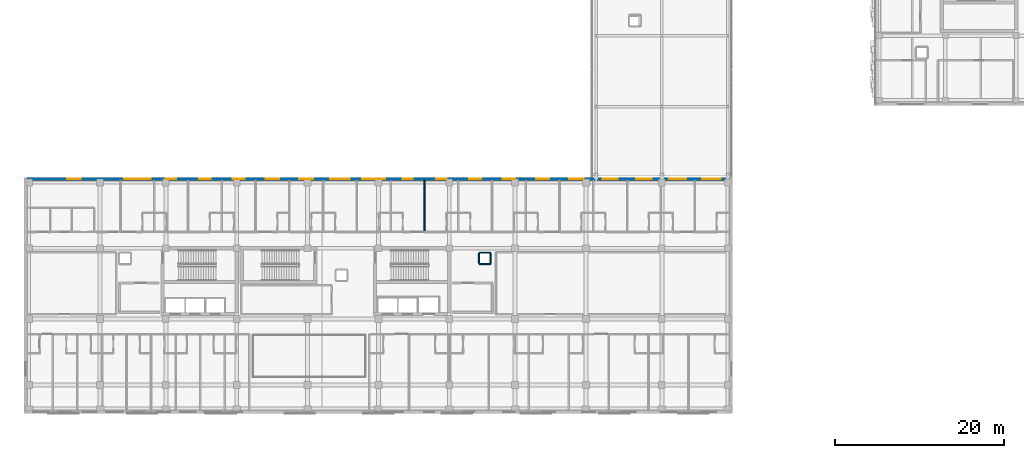
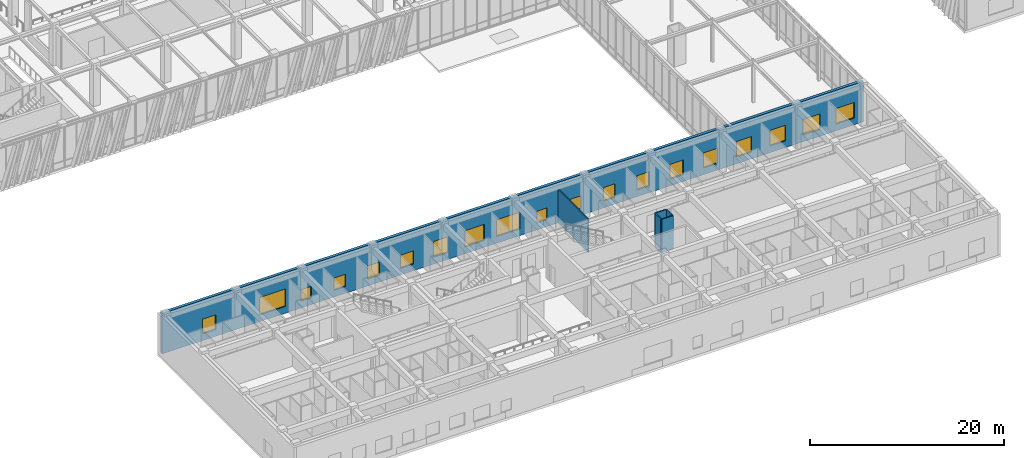
# One storey, part 107 of 139: 19 windows, 6 walls, 19 openings.
"""IFC4 building model written with IfcOpenShell, lengths in metres."""

from ifc_helpers import new_model, si_unit, direction, frame, frame_2d, origin, place, context, subcontext, project, spatial, rectangle, extrude, material, layer, layer_set, type_object, element, fill, save


model = new_model("IFC4")

# Units and contexts
model_context = context("Model", 3, precision=1e-05, world=origin(), true_north=direction((0.0, 1.0)))
body_context = subcontext(model_context, "Body", "Model", "MODEL_VIEW")
ifc_project = project(units=[si_unit("LENGTHUNIT", "METRE"), si_unit("AREAUNIT", "SQUARE_METRE"), si_unit("VOLUMEUNIT", "CUBIC_METRE"), si_unit("PLANEANGLEUNIT", "RADIAN"), si_unit("MASSUNIT", "GRAM", prefix="KILO")], contexts=[model_context])

# Site, building, storey
site_placement = place(None, origin())
site = spatial("IfcSite", under=ifc_project, at=site_placement, CompositionType="ELEMENT")
building_placement = place(site_placement, origin())
building = spatial("IfcBuilding", under=site, at=building_placement, Name="Zayran Congress Hotel", CompositionType="ELEMENT")
storey_placement = place(building_placement, frame((0.0, 0.0, 5.39990234375)))
storey = spatial("IfcBuildingStorey", under=building, at=storey_placement, Name="L01", CompositionType="ELEMENT", Elevation=5.39990234375)

# Wall, openings, windows
ifc_material_1 = material(Name="Hajar Ma'ani limestone and insulated concrete C32/40", Category="masonry")
ifc_layer_1 = layer(ifc_material_1, 0.340087890625)
ifc_layer_set_1 = layer_set([ifc_layer_1], Name="Hajar Ma'ani limestone and insulated concrete C32/40")
wall_type_1 = type_object("IfcWallType", Name="WL-EX-340", PredefinedType="SOLIDWALL", material=ifc_layer_set_1)
wall_1_placement = place(storey_placement, frame((8.739990234375, 33.830078125, 0.0), z_axis=(0.0, 0.0, 1.0), x_axis=(1.0, 0.0, 0.0)))
wall_1 = element("IfcWall", 1, at=wall_1_placement, inside=storey, type_object=wall_type_1, Name="EW-V5-N-L01", PredefinedType="SOLIDWALL", context=body_context, shape_type="SweptSolid", body=[
    extrude(rectangle(XDim=83.320068359375, YDim=0.340087890625, at=frame_2d((41.66015625, 0.0))), origin(), (0.0, 0.0, 1.0), 5.10009765625),
])
opening_1_placement = place(wall_1_placement, frame((4.794921875, 0.0, 0.85009765625)))
opening_1 = element("IfcOpeningElement", 2, at=opening_1_placement, cuts=wall_1, Name="Opening WN-35", PredefinedType="OPENING", context=body_context, shape_type="SweptSolid", body=[
    extrude(rectangle(XDim=1.580078125, YDim=1.85009765625, at=frame_2d((0.7900390625, 0.925048828125))), frame((0.0, 0.179931640625, 0.0), z_axis=(0.0, -1.0, 0.0), x_axis=(1.0, 0.0, 0.0)), (0.0, 0.0, 1.0), 0.360107421875),
])
opening_2_placement = place(wall_1_placement, frame((11.5419921875, 0.0, 0.85009765625)))
opening_2 = element("IfcOpeningElement", 3, at=opening_2_placement, cuts=wall_1, Name="Opening WN-20", PredefinedType="OPENING", context=body_context, shape_type="SweptSolid", body=[
    extrude(rectangle(XDim=3.10009765625, YDim=2.199951171875, at=frame_2d((1.550048828125, 1.10009765625))), frame((0.0, 0.179931640625, 0.0), z_axis=(0.0, -1.0, 0.0), x_axis=(1.0, 0.0, 0.0)), (0.0, 0.0, 1.0), 0.360107421875),
])
opening_3_placement = place(wall_1_placement, frame((16.470947265625, 0.0, 0.85009765625)))
opening_3 = element("IfcOpeningElement", 4, at=opening_3_placement, cuts=wall_1, Name="Opening WN-23", PredefinedType="OPENING", context=body_context, shape_type="SweptSolid", body=[
    extrude(rectangle(XDim=1.25, YDim=1.449951171875, at=frame_2d((0.625, 0.72509765625))), frame((0.0, 0.179931640625, 0.0), z_axis=(0.0, -1.0, 0.0), x_axis=(1.0, 0.0, 0.0)), (0.0, 0.0, 1.0), 0.360107421875),
])
opening_4_placement = place(wall_1_placement, frame((20.425048828125, 0.0, 0.85009765625)))
opening_4 = element("IfcOpeningElement", 5, at=opening_4_placement, cuts=wall_1, Name="Opening WN-24", PredefinedType="OPENING", context=body_context, shape_type="SweptSolid", body=[
    extrude(rectangle(XDim=1.35009765625, YDim=1.550048828125, at=frame_2d((0.675048828125, 0.77490234375))), frame((0.0, 0.179931640625, 0.0), z_axis=(0.0, -1.0, 0.0), x_axis=(1.0, 0.0, 0.0)), (0.0, 0.0, 1.0), 0.360107421875),
])
opening_5_placement = place(wall_1_placement, frame((24.37890625, 0.0, 0.85009765625)))
opening_5 = element("IfcOpeningElement", 6, at=opening_5_placement, cuts=wall_1, Name="Opening WN-25", PredefinedType="OPENING", context=body_context, shape_type="SweptSolid", body=[
    extrude(rectangle(XDim=1.449951171875, YDim=1.64990234375, at=frame_2d((0.72509765625, 0.824951171875))), frame((0.0, 0.179931640625, 0.0), z_axis=(0.0, -1.0, 0.0), x_axis=(1.0, 0.0, 0.0)), (0.0, 0.0, 1.0), 0.360107421875),
])
opening_6_placement = place(wall_1_placement, frame((28.33203125, 0.0, 0.85009765625)))
opening_6 = element("IfcOpeningElement", 7, at=opening_6_placement, cuts=wall_1, Name="Opening WN-26", PredefinedType="OPENING", context=body_context, shape_type="SweptSolid", body=[
    extrude(rectangle(XDim=1.550048828125, YDim=1.64990234375, at=frame_2d((0.77490234375, 0.824951171875))), frame((0.0, 0.179931640625, 0.0), z_axis=(0.0, -1.0, 0.0), x_axis=(1.0, 0.0, 0.0)), (0.0, 0.0, 1.0), 0.360107421875),
])
opening_7_placement = place(wall_1_placement, frame((32.260986328125, 0.0, 0.85009765625)))
opening_7 = element("IfcOpeningElement", 8, at=opening_7_placement, cuts=wall_1, Name="Opening WN-27", PredefinedType="OPENING", context=body_context, shape_type="SweptSolid", body=[
    extrude(rectangle(XDim=1.699951171875, YDim=2.0, at=frame_2d((0.85009765625, 1.0))), frame((0.0, 0.179931640625, 0.0), z_axis=(0.0, -1.0, 0.0), x_axis=(1.0, 0.0, 0.0)), (0.0, 0.0, 1.0), 0.360107421875),
])
opening_8_placement = place(wall_1_placement, frame((35.965087890625, 0.0, 0.85009765625)))
opening_8 = element("IfcOpeningElement", 9, at=opening_8_placement, cuts=wall_1, Name="Opening WN-28", PredefinedType="OPENING", context=body_context, shape_type="SweptSolid", body=[
    extrude(rectangle(XDim=2.300048828125, YDim=2.050048828125, at=frame_2d((1.14990234375, 1.02490234375))), frame((0.0, 0.179931640625, 0.0), z_axis=(0.0, -1.0, 0.0), x_axis=(1.0, 0.0, 0.0)), (0.0, 0.0, 1.0), 0.360107421875),
])
opening_9_placement = place(wall_1_placement, frame((39.743896484375, 0.0, 0.85009765625)))
opening_9 = element("IfcOpeningElement", 10, at=opening_9_placement, cuts=wall_1, Name="Opening WN-29", PredefinedType="OPENING", context=body_context, shape_type="SweptSolid", body=[
    extrude(rectangle(XDim=2.75, YDim=2.10009765625, at=frame_2d((1.375, 1.050048828125))), frame((0.0, 0.179931640625, 0.0), z_axis=(0.0, -1.0, 0.0), x_axis=(1.0, 0.0, 0.0)), (0.0, 0.0, 1.0), 0.360107421875),
])
opening_10_placement = place(wall_1_placement, frame((44.532958984375, 0.0, 0.85009765625)))
opening_10 = element("IfcOpeningElement", 11, at=opening_10_placement, cuts=wall_1, Name="Opening WN-31", PredefinedType="OPENING", context=body_context, shape_type="SweptSolid", body=[
    extrude(rectangle(XDim=1.179931640625, YDim=1.5, at=frame_2d((0.58984375, 0.75))), frame((0.0, 0.179931640625, 0.0), z_axis=(0.0, -1.0, 0.0), x_axis=(1.0, 0.0, 0.0)), (0.0, 0.0, 1.0), 0.360107421875),
])
opening_11_placement = place(wall_1_placement, frame((48.487060546875, 0.0, 0.85009765625)))
opening_11 = element("IfcOpeningElement", 12, at=opening_11_placement, cuts=wall_1, Name="Opening WN-32", PredefinedType="OPENING", context=body_context, shape_type="SweptSolid", body=[
    extrude(rectangle(XDim=1.280029296875, YDim=1.60009765625, at=frame_2d((0.64013671875, 0.800048828125))), frame((0.0, 0.179931640625, 0.0), z_axis=(0.0, -1.0, 0.0), x_axis=(1.0, 0.0, 0.0)), (0.0, 0.0, 1.0), 0.360107421875),
])
opening_12_placement = place(wall_1_placement, frame((52.44091796875, 0.0, 0.85009765625)))
opening_12 = element("IfcOpeningElement", 13, at=opening_12_placement, cuts=wall_1, Name="Opening WN-33", PredefinedType="OPENING", context=body_context, shape_type="SweptSolid", body=[
    extrude(rectangle(XDim=1.3798828125, YDim=1.699951171875, at=frame_2d((0.68994140625, 0.85009765625))), frame((0.0, 0.179931640625, 0.0), z_axis=(0.0, -1.0, 0.0), x_axis=(1.0, 0.0, 0.0)), (0.0, 0.0, 1.0), 0.360107421875),
])
opening_13_placement = place(wall_1_placement, frame((56.39501953125, 0.0, 0.85009765625)))
opening_13 = element("IfcOpeningElement", 14, at=opening_13_placement, cuts=wall_1, Name="Opening WN-34", PredefinedType="OPENING", context=body_context, shape_type="SweptSolid", body=[
    extrude(rectangle(XDim=1.47998046875, YDim=1.800048828125, at=frame_2d((0.739990234375, 0.89990234375))), frame((0.0, 0.179931640625, 0.0), z_axis=(0.0, -1.0, 0.0), x_axis=(1.0, 0.0, 0.0)), (0.0, 0.0, 1.0), 0.360107421875),
])
opening_14_placement = place(wall_1_placement, frame((60.34912109375, 0.0, 0.85009765625)))
opening_14 = element("IfcOpeningElement", 15, at=opening_14_placement, cuts=wall_1, Name="Opening WN-35", PredefinedType="OPENING", context=body_context, shape_type="SweptSolid", body=[
    extrude(rectangle(XDim=1.580078125, YDim=1.85009765625, at=frame_2d((0.7900390625, 0.925048828125))), frame((0.0, 0.179931640625, 0.0), z_axis=(0.0, -1.0, 0.0), x_axis=(1.0, 0.0, 0.0)), (0.0, 0.0, 1.0), 0.360107421875),
])
opening_15_placement = place(wall_1_placement, frame((64.302001953125, 0.0, 0.85009765625)))
opening_15 = element("IfcOpeningElement", 16, at=opening_15_placement, cuts=wall_1, Name="Opening WN-36", PredefinedType="OPENING", context=body_context, shape_type="SweptSolid", body=[
    extrude(rectangle(XDim=1.679931640625, YDim=1.89990234375, at=frame_2d((0.83984375, 0.949951171875))), frame((0.0, 0.179931640625, 0.0), z_axis=(0.0, -1.0, 0.0), x_axis=(1.0, 0.0, 0.0)), (0.0, 0.0, 1.0), 0.360107421875),
])
opening_16_placement = place(wall_1_placement, frame((68.256103515625, 0.0, 0.85009765625)))
opening_16 = element("IfcOpeningElement", 17, at=opening_16_placement, cuts=wall_1, Name="Opening WN-37", PredefinedType="OPENING", context=body_context, shape_type="SweptSolid", body=[
    extrude(rectangle(XDim=1.780029296875, YDim=1.949951171875, at=frame_2d((0.89013671875, 0.97509765625))), frame((0.0, 0.179931640625, 0.0), z_axis=(0.0, -1.0, 0.0), x_axis=(1.0, 0.0, 0.0)), (0.0, 0.0, 1.0), 0.360107421875),
])
opening_17_placement = place(wall_1_placement, frame((72.2099609375, 0.0, 0.85009765625)))
opening_17 = element("IfcOpeningElement", 18, at=opening_17_placement, cuts=wall_1, Name="Opening WN-38", PredefinedType="OPENING", context=body_context, shape_type="SweptSolid", body=[
    extrude(rectangle(XDim=1.8798828125, YDim=1.949951171875, at=frame_2d((0.93994140625, 0.97509765625))), frame((0.0, 0.179931640625, 0.0), z_axis=(0.0, -1.0, 0.0), x_axis=(1.0, 0.0, 0.0)), (0.0, 0.0, 1.0), 0.360107421875),
])
opening_18_placement = place(wall_1_placement, frame((76.12890625, 0.0, 0.85009765625)))
opening_18 = element("IfcOpeningElement", 19, at=opening_18_placement, cuts=wall_1, Name="Opening WN-39", PredefinedType="OPENING", context=body_context, shape_type="SweptSolid", body=[
    extrude(rectangle(XDim=2.050048828125, YDim=1.949951171875, at=frame_2d((1.02490234375, 0.97509765625))), frame((0.0, 0.179931640625, 0.0), z_axis=(0.0, -1.0, 0.0), x_axis=(1.0, 0.0, 0.0)), (0.0, 0.0, 1.0), 0.360107421875),
])
opening_19_placement = place(wall_1_placement, frame((80.068115234375, 0.0, 0.85009765625)))
opening_19 = element("IfcOpeningElement", 20, at=opening_19_placement, cuts=wall_1, Name="Opening WN-40", PredefinedType="OPENING", context=body_context, shape_type="SweptSolid", body=[
    extrude(rectangle(XDim=2.179931640625, YDim=1.949951171875, at=frame_2d((1.08984375, 0.97509765625))), frame((0.0, 0.179931640625, 0.0), z_axis=(0.0, -1.0, 0.0), x_axis=(1.0, 0.0, 0.0)), (0.0, 0.0, 1.0), 0.360107421875),
])
ifc_material_2 = material(Name="Anodised aluminium and low-E insulated glass", Category="aluminium")
window_type_1 = type_object("IfcWindowType", Name="TP-WN-20", PartitioningType="TRIPLE_PANEL_VERTICAL", PredefinedType="WINDOW", material=ifc_material_2)
window_1_placement = place(opening_2_placement, origin())
window_1 = element("IfcWindow", 21, at=window_1_placement, inside=storey, type_object=window_type_1, Name="WIN-V5N-L01-0173", OverallHeight=2.199951171875, OverallWidth=3.10009765625, PartitioningType="SINGLE_PANEL", PredefinedType="WINDOW", context=body_context, shape_type="SweptSolid", body=[
    extrude(rectangle(XDim=3.10009765625, YDim=2.199951171875, at=frame_2d((1.550048828125, 1.10009765625))), frame((0.0, 0.030029296875, 0.0), z_axis=(0.0, -1.0, 0.0), x_axis=(1.0, 0.0, 0.0)), (0.0, 0.0, 1.0), 0.06005859375),
])
fill(opening_2, window_1)
window_type_2 = type_object("IfcWindowType", Name="TP-WN-23", PartitioningType="SINGLE_PANEL", PredefinedType="WINDOW", material=ifc_material_2)
window_2_placement = place(opening_3_placement, origin())
window_2 = element("IfcWindow", 22, at=window_2_placement, inside=storey, type_object=window_type_2, Name="WIN-V5N-L01-0174", OverallHeight=1.449951171875, OverallWidth=1.25, PartitioningType="SINGLE_PANEL", PredefinedType="WINDOW", context=body_context, shape_type="SweptSolid", body=[
    extrude(rectangle(XDim=1.25, YDim=1.449951171875, at=frame_2d((0.625, 0.72509765625))), frame((0.0, 0.030029296875, 0.0), z_axis=(0.0, -1.0, 0.0), x_axis=(1.0, 0.0, 0.0)), (0.0, 0.0, 1.0), 0.06005859375),
])
fill(opening_3, window_2)
window_type_3 = type_object("IfcWindowType", Name="TP-WN-24", PartitioningType="SINGLE_PANEL", PredefinedType="WINDOW", material=ifc_material_2)
window_3_placement = place(opening_4_placement, origin())
window_3 = element("IfcWindow", 23, at=window_3_placement, inside=storey, type_object=window_type_3, Name="WIN-V5N-L01-0175", OverallHeight=1.550048828125, OverallWidth=1.35009765625, PartitioningType="SINGLE_PANEL", PredefinedType="WINDOW", context=body_context, shape_type="SweptSolid", body=[
    extrude(rectangle(XDim=1.35009765625, YDim=1.550048828125, at=frame_2d((0.675048828125, 0.77490234375))), frame((0.0, 0.030029296875, 0.0), z_axis=(0.0, -1.0, 0.0), x_axis=(1.0, 0.0, 0.0)), (0.0, 0.0, 1.0), 0.06005859375),
])
fill(opening_4, window_3)
window_type_4 = type_object("IfcWindowType", Name="TP-WN-25", PartitioningType="SINGLE_PANEL", PredefinedType="WINDOW", material=ifc_material_2)
window_4_placement = place(opening_5_placement, origin())
window_4 = element("IfcWindow", 24, at=window_4_placement, inside=storey, type_object=window_type_4, Name="WIN-V5N-L01-0176", OverallHeight=1.64990234375, OverallWidth=1.449951171875, PartitioningType="SINGLE_PANEL", PredefinedType="WINDOW", context=body_context, shape_type="SweptSolid", body=[
    extrude(rectangle(XDim=1.449951171875, YDim=1.64990234375, at=frame_2d((0.72509765625, 0.824951171875))), frame((0.0, 0.030029296875, 0.0), z_axis=(0.0, -1.0, 0.0), x_axis=(1.0, 0.0, 0.0)), (0.0, 0.0, 1.0), 0.06005859375),
])
fill(opening_5, window_4)
window_type_5 = type_object("IfcWindowType", Name="TP-WN-26", PartitioningType="SINGLE_PANEL", PredefinedType="WINDOW", material=ifc_material_2)
window_5_placement = place(opening_6_placement, origin())
window_5 = element("IfcWindow", 25, at=window_5_placement, inside=storey, type_object=window_type_5, Name="WIN-V5N-L01-0177", OverallHeight=1.64990234375, OverallWidth=1.550048828125, PartitioningType="SINGLE_PANEL", PredefinedType="WINDOW", context=body_context, shape_type="SweptSolid", body=[
    extrude(rectangle(XDim=1.550048828125, YDim=1.64990234375, at=frame_2d((0.77490234375, 0.824951171875))), frame((0.0, 0.030029296875, 0.0), z_axis=(0.0, -1.0, 0.0), x_axis=(1.0, 0.0, 0.0)), (0.0, 0.0, 1.0), 0.06005859375),
])
fill(opening_6, window_5)
window_type_6 = type_object("IfcWindowType", Name="TP-WN-27", PartitioningType="DOUBLE_PANEL_VERTICAL", PredefinedType="WINDOW", material=ifc_material_2)
window_6_placement = place(opening_7_placement, origin())
window_6 = element("IfcWindow", 26, at=window_6_placement, inside=storey, type_object=window_type_6, Name="WIN-V5N-L01-0178", OverallHeight=2.0, OverallWidth=1.699951171875, PartitioningType="SINGLE_PANEL", PredefinedType="WINDOW", context=body_context, shape_type="SweptSolid", body=[
    extrude(rectangle(XDim=1.699951171875, YDim=2.0, at=frame_2d((0.85009765625, 1.0))), frame((0.0, 0.030029296875, 0.0), z_axis=(0.0, -1.0, 0.0), x_axis=(1.0, 0.0, 0.0)), (0.0, 0.0, 1.0), 0.06005859375),
])
fill(opening_7, window_6)
window_type_7 = type_object("IfcWindowType", Name="TP-WN-28", PartitioningType="DOUBLE_PANEL_VERTICAL", PredefinedType="WINDOW", material=ifc_material_2)
window_7_placement = place(opening_8_placement, origin())
window_7 = element("IfcWindow", 27, at=window_7_placement, inside=storey, type_object=window_type_7, Name="WIN-V5N-L01-0179", OverallHeight=2.050048828125, OverallWidth=2.300048828125, PartitioningType="SINGLE_PANEL", PredefinedType="WINDOW", context=body_context, shape_type="SweptSolid", body=[
    extrude(rectangle(XDim=2.300048828125, YDim=2.050048828125, at=frame_2d((1.14990234375, 1.02490234375))), frame((0.0, 0.030029296875, 0.0), z_axis=(0.0, -1.0, 0.0), x_axis=(1.0, 0.0, 0.0)), (0.0, 0.0, 1.0), 0.06005859375),
])
fill(opening_8, window_7)
window_type_8 = type_object("IfcWindowType", Name="TP-WN-29", PartitioningType="TRIPLE_PANEL_VERTICAL", PredefinedType="WINDOW", material=ifc_material_2)
window_8_placement = place(opening_9_placement, origin())
window_8 = element("IfcWindow", 28, at=window_8_placement, inside=storey, type_object=window_type_8, Name="WIN-V5N-L01-0180", OverallHeight=2.10009765625, OverallWidth=2.75, PartitioningType="SINGLE_PANEL", PredefinedType="WINDOW", context=body_context, shape_type="SweptSolid", body=[
    extrude(rectangle(XDim=2.75, YDim=2.10009765625, at=frame_2d((1.375, 1.050048828125))), frame((0.0, 0.030029296875, 0.0), z_axis=(0.0, -1.0, 0.0), x_axis=(1.0, 0.0, 0.0)), (0.0, 0.0, 1.0), 0.06005859375),
])
fill(opening_9, window_8)
window_type_9 = type_object("IfcWindowType", Name="TP-WN-31", PartitioningType="SINGLE_PANEL", PredefinedType="WINDOW", material=ifc_material_2)
window_9_placement = place(opening_10_placement, origin())
window_9 = element("IfcWindow", 29, at=window_9_placement, inside=storey, type_object=window_type_9, Name="WIN-V5N-L01-0181", OverallHeight=1.5, OverallWidth=1.179931640625, PartitioningType="SINGLE_PANEL", PredefinedType="WINDOW", context=body_context, shape_type="SweptSolid", body=[
    extrude(rectangle(XDim=1.179931640625, YDim=1.5, at=frame_2d((0.58984375, 0.75))), frame((0.0, 0.030029296875, 0.0), z_axis=(0.0, -1.0, 0.0), x_axis=(1.0, 0.0, 0.0)), (0.0, 0.0, 1.0), 0.06005859375),
])
fill(opening_10, window_9)
window_type_10 = type_object("IfcWindowType", Name="TP-WN-32", PartitioningType="SINGLE_PANEL", PredefinedType="WINDOW", material=ifc_material_2)
window_10_placement = place(opening_11_placement, origin())
window_10 = element("IfcWindow", 30, at=window_10_placement, inside=storey, type_object=window_type_10, Name="WIN-V5N-L01-0182", OverallHeight=1.60009765625, OverallWidth=1.280029296875, PartitioningType="SINGLE_PANEL", PredefinedType="WINDOW", context=body_context, shape_type="SweptSolid", body=[
    extrude(rectangle(XDim=1.280029296875, YDim=1.60009765625, at=frame_2d((0.64013671875, 0.800048828125))), frame((0.0, 0.030029296875, 0.0), z_axis=(0.0, -1.0, 0.0), x_axis=(1.0, 0.0, 0.0)), (0.0, 0.0, 1.0), 0.06005859375),
])
fill(opening_11, window_10)
window_type_11 = type_object("IfcWindowType", Name="TP-WN-33", PartitioningType="SINGLE_PANEL", PredefinedType="WINDOW", material=ifc_material_2)
window_11_placement = place(opening_12_placement, origin())
window_11 = element("IfcWindow", 31, at=window_11_placement, inside=storey, type_object=window_type_11, Name="WIN-V5N-L01-0183", OverallHeight=1.699951171875, OverallWidth=1.3798828125, PartitioningType="SINGLE_PANEL", PredefinedType="WINDOW", context=body_context, shape_type="SweptSolid", body=[
    extrude(rectangle(XDim=1.3798828125, YDim=1.699951171875, at=frame_2d((0.68994140625, 0.85009765625))), frame((0.0, 0.030029296875, 0.0), z_axis=(0.0, -1.0, 0.0), x_axis=(1.0, 0.0, 0.0)), (0.0, 0.0, 1.0), 0.06005859375),
])
fill(opening_12, window_11)
window_type_12 = type_object("IfcWindowType", Name="TP-WN-34", PartitioningType="SINGLE_PANEL", PredefinedType="WINDOW", material=ifc_material_2)
window_12_placement = place(opening_13_placement, origin())
window_12 = element("IfcWindow", 32, at=window_12_placement, inside=storey, type_object=window_type_12, Name="WIN-V5N-L01-0184", OverallHeight=1.800048828125, OverallWidth=1.47998046875, PartitioningType="SINGLE_PANEL", PredefinedType="WINDOW", context=body_context, shape_type="SweptSolid", body=[
    extrude(rectangle(XDim=1.47998046875, YDim=1.800048828125, at=frame_2d((0.739990234375, 0.89990234375))), frame((0.0, 0.030029296875, 0.0), z_axis=(0.0, -1.0, 0.0), x_axis=(1.0, 0.0, 0.0)), (0.0, 0.0, 1.0), 0.06005859375),
])
fill(opening_13, window_12)
window_type_13 = type_object("IfcWindowType", Name="TP-WN-35", PartitioningType="DOUBLE_PANEL_VERTICAL", PredefinedType="WINDOW", material=ifc_material_2)
window_13_placement = place(opening_1_placement, origin())
window_13 = element("IfcWindow", 33, at=window_13_placement, inside=storey, type_object=window_type_13, Name="WIN-V5N-L01-0172", OverallHeight=1.85009765625, OverallWidth=1.580078125, PartitioningType="SINGLE_PANEL", PredefinedType="WINDOW", context=body_context, shape_type="SweptSolid", body=[
    extrude(rectangle(XDim=1.580078125, YDim=1.85009765625, at=frame_2d((0.7900390625, 0.925048828125))), frame((0.0, 0.030029296875, 0.0), z_axis=(0.0, -1.0, 0.0), x_axis=(1.0, 0.0, 0.0)), (0.0, 0.0, 1.0), 0.06005859375),
])
fill(opening_1, window_13)
window_14_placement = place(opening_14_placement, origin())
window_14 = element("IfcWindow", 34, at=window_14_placement, inside=storey, type_object=window_type_13, Name="WIN-V5N-L01-0185", OverallHeight=1.85009765625, OverallWidth=1.580078125, PartitioningType="SINGLE_PANEL", PredefinedType="WINDOW", context=body_context, shape_type="SweptSolid", body=[
    extrude(rectangle(XDim=1.580078125, YDim=1.85009765625, at=frame_2d((0.7900390625, 0.925048828125))), frame((0.0, 0.030029296875, 0.0), z_axis=(0.0, -1.0, 0.0), x_axis=(1.0, 0.0, 0.0)), (0.0, 0.0, 1.0), 0.06005859375),
])
fill(opening_14, window_14)
window_type_14 = type_object("IfcWindowType", Name="TP-WN-36", PartitioningType="DOUBLE_PANEL_VERTICAL", PredefinedType="WINDOW", material=ifc_material_2)
window_15_placement = place(opening_15_placement, origin())
window_15 = element("IfcWindow", 35, at=window_15_placement, inside=storey, type_object=window_type_14, Name="WIN-V5N-L01-0186", OverallHeight=1.89990234375, OverallWidth=1.679931640625, PartitioningType="SINGLE_PANEL", PredefinedType="WINDOW", context=body_context, shape_type="SweptSolid", body=[
    extrude(rectangle(XDim=1.679931640625, YDim=1.89990234375, at=frame_2d((0.83984375, 0.949951171875))), frame((0.0, 0.030029296875, 0.0), z_axis=(0.0, -1.0, 0.0), x_axis=(1.0, 0.0, 0.0)), (0.0, 0.0, 1.0), 0.06005859375),
])
fill(opening_15, window_15)
window_type_15 = type_object("IfcWindowType", Name="TP-WN-37", PartitioningType="DOUBLE_PANEL_VERTICAL", PredefinedType="WINDOW", material=ifc_material_2)
window_16_placement = place(opening_16_placement, origin())
window_16 = element("IfcWindow", 36, at=window_16_placement, inside=storey, type_object=window_type_15, Name="WIN-V5N-L01-0187", OverallHeight=1.949951171875, OverallWidth=1.780029296875, PartitioningType="SINGLE_PANEL", PredefinedType="WINDOW", context=body_context, shape_type="SweptSolid", body=[
    extrude(rectangle(XDim=1.780029296875, YDim=1.949951171875, at=frame_2d((0.89013671875, 0.97509765625))), frame((0.0, 0.030029296875, 0.0), z_axis=(0.0, -1.0, 0.0), x_axis=(1.0, 0.0, 0.0)), (0.0, 0.0, 1.0), 0.06005859375),
])
fill(opening_16, window_16)
window_type_16 = type_object("IfcWindowType", Name="TP-WN-38", PartitioningType="DOUBLE_PANEL_VERTICAL", PredefinedType="WINDOW", material=ifc_material_2)
window_17_placement = place(opening_17_placement, origin())
window_17 = element("IfcWindow", 37, at=window_17_placement, inside=storey, type_object=window_type_16, Name="WIN-V5N-L01-0188", OverallHeight=1.949951171875, OverallWidth=1.8798828125, PartitioningType="SINGLE_PANEL", PredefinedType="WINDOW", context=body_context, shape_type="SweptSolid", body=[
    extrude(rectangle(XDim=1.8798828125, YDim=1.949951171875, at=frame_2d((0.93994140625, 0.97509765625))), frame((0.0, 0.030029296875, 0.0), z_axis=(0.0, -1.0, 0.0), x_axis=(1.0, 0.0, 0.0)), (0.0, 0.0, 1.0), 0.06005859375),
])
fill(opening_17, window_17)
window_type_17 = type_object("IfcWindowType", Name="TP-WN-39", PartitioningType="DOUBLE_PANEL_VERTICAL", PredefinedType="WINDOW", material=ifc_material_2)
window_18_placement = place(opening_18_placement, origin())
window_18 = element("IfcWindow", 38, at=window_18_placement, inside=storey, type_object=window_type_17, Name="WIN-V5N-L01-0189", OverallHeight=1.949951171875, OverallWidth=2.050048828125, PartitioningType="SINGLE_PANEL", PredefinedType="WINDOW", context=body_context, shape_type="SweptSolid", body=[
    extrude(rectangle(XDim=2.050048828125, YDim=1.949951171875, at=frame_2d((1.02490234375, 0.97509765625))), frame((0.0, 0.030029296875, 0.0), z_axis=(0.0, -1.0, 0.0), x_axis=(1.0, 0.0, 0.0)), (0.0, 0.0, 1.0), 0.06005859375),
])
fill(opening_18, window_18)
window_type_18 = type_object("IfcWindowType", Name="TP-WN-40", PartitioningType="DOUBLE_PANEL_VERTICAL", PredefinedType="WINDOW", material=ifc_material_2)
window_19_placement = place(opening_19_placement, origin())
window_19 = element("IfcWindow", 39, at=window_19_placement, inside=storey, type_object=window_type_18, Name="WIN-V5N-L01-0190", OverallHeight=1.949951171875, OverallWidth=2.179931640625, PartitioningType="SINGLE_PANEL", PredefinedType="WINDOW", context=body_context, shape_type="SweptSolid", body=[
    extrude(rectangle(XDim=2.179931640625, YDim=1.949951171875, at=frame_2d((1.08984375, 0.97509765625))), frame((0.0, 0.030029296875, 0.0), z_axis=(0.0, -1.0, 0.0), x_axis=(1.0, 0.0, 0.0)), (0.0, 0.0, 1.0), 0.06005859375),
])
fill(opening_19, window_19)

# Walls
ifc_material_3 = material(Name="Hospitality guestroom acoustic partition", Category="gypsum")
ifc_layer_2 = layer(ifc_material_3, 0.139892578125)
ifc_layer_set_2 = layer_set([ifc_layer_2], Name="Hospitality guestroom acoustic partition")
wall_type_2 = type_object("IfcWallType", Name="WL-PT-140", PredefinedType="PARTITIONING", material=ifc_layer_set_2)
wall_2_placement = place(storey_placement, frame((55.85498046875, 27.52001953125, 0.0), z_axis=(0.0, 0.0, 1.0), x_axis=(0.0, 1.0, 0.0)))
element("IfcWall", 40, at=wall_2_placement, inside=storey, type_object=wall_type_2, Name="IW-L01-1769", PredefinedType="PARTITIONING", context=body_context, shape_type="SweptSolid", body=[
    extrude(rectangle(XDim=6.139892578125, YDim=0.139892578125, at=frame_2d((3.06982421875, 0.0))), origin(), (0.0, 0.0, 1.0), 4.18017578125),
])
for number, where, z_axis, x_axis, name in (
    (41, (62.330078125, 23.72998046875, 0.0), (0.0, 0.0, 1.0), (1.0, 0.0, 0.0), "RSWL-V5-L01-028-S"),
    (42, (63.68994140625, 25.050048828125, 0.0), (0.0, 0.0, 1.0), (-1.0, 0.0, 0.0), "RSWL-V5-L01-028-N"),
):
    element("IfcWall", number, at=place(storey_placement, frame(where, z_axis=z_axis, x_axis=x_axis)), inside=storey, type_object=wall_type_2, Name=name, PredefinedType="PARTITIONING", context=body_context, shape_type="SweptSolid", body=[
        extrude(rectangle(XDim=1.35986328125, YDim=0.139892578125, at=frame_2d((0.679931640625, 0.0))), origin(), (0.0, 0.0, 1.0), 4.2001953125),
    ])
for number, where, z_axis, x_axis, name in (
    (43, (62.330078125, 24.97998046875, 0.0), (0.0, 0.0, 1.0), (0.0, -1.0, 0.0), "RSWL-V5-L01-028-W"),
    (44, (63.68994140625, 23.800048828125, 0.0), (0.0, 0.0, 1.0), (0.0, 1.0, 0.0), "RSWL-V5-L01-028-E"),
):
    element("IfcWall", number, at=place(storey_placement, frame(where, z_axis=z_axis, x_axis=x_axis)), inside=storey, type_object=wall_type_2, Name=name, PredefinedType="PARTITIONING", context=body_context, shape_type="SweptSolid", body=[
        extrude(rectangle(XDim=1.179931640625, YDim=0.139892578125, at=frame_2d((0.58984375, 0.0))), origin(), (0.0, 0.0, 1.0), 4.2001953125),
    ])

save(model, "model.ifc")
